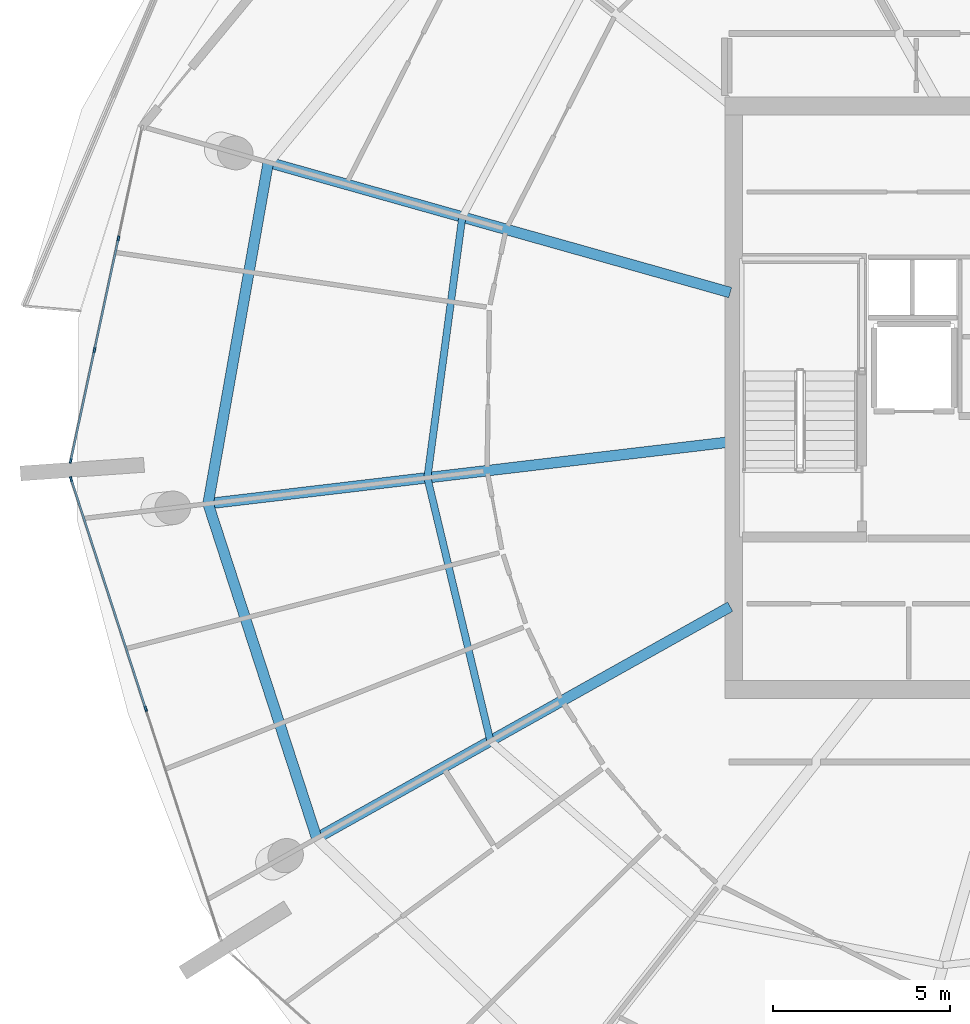
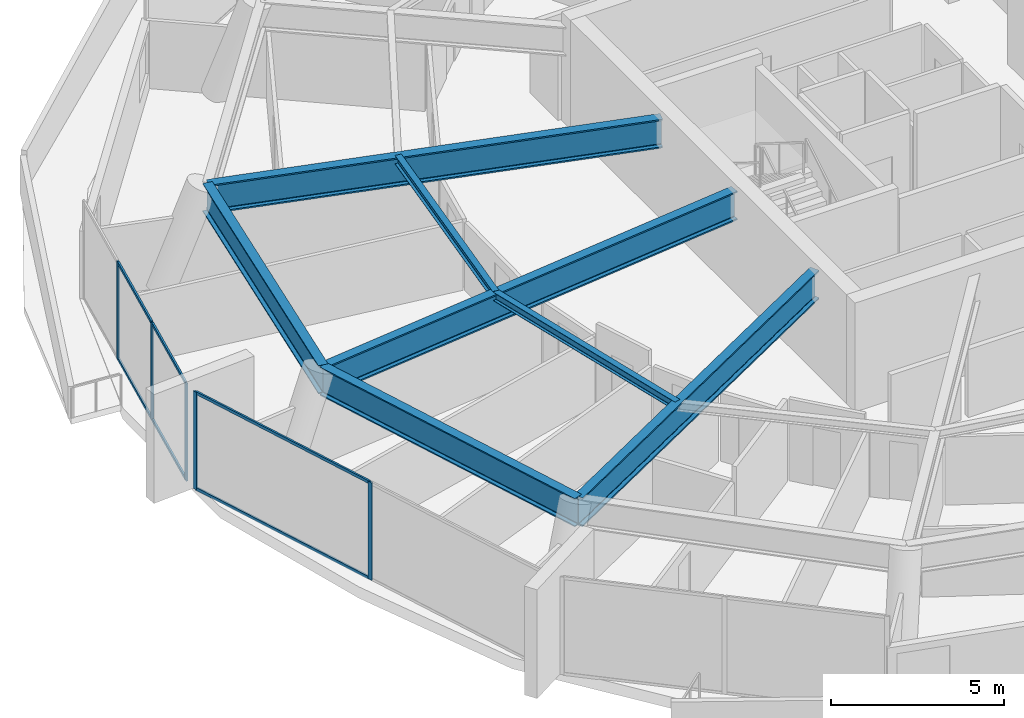
# One storey, part 7 of 27: 11 members, 7 beams, 2 elements without a shape of their own.
"""IFC4 building model written with IfcOpenShell, lengths in metres."""

from ifc_helpers import new_model, si_unit, direction, frame, origin, origin_2d, place, context, subcontext, project, spatial, rectangle, i_section, extrude, material, layer, layer_set, material_profile, profile_set, type_object, element, aggregate, save


model = new_model("IFC4")

# Units and contexts
model_context = context("Model", 3, precision=1e-05, world=origin(), true_north=direction((0.0, 1.0)))
body_context = subcontext(model_context, "Body", "Model", "MODEL_VIEW")
ifc_project = project(units=[si_unit("LENGTHUNIT", "METRE"), si_unit("AREAUNIT", "SQUARE_METRE"), si_unit("VOLUMEUNIT", "CUBIC_METRE"), si_unit("PLANEANGLEUNIT", "RADIAN"), si_unit("MASSUNIT", "GRAM", prefix="KILO")], contexts=[model_context])

# Site, building, storey
site_placement = place(None, origin())
site = spatial("IfcSite", under=ifc_project, at=site_placement, CompositionType="ELEMENT")
building_placement = place(site_placement, origin())
building = spatial("IfcBuilding", under=site, at=building_placement, Name="Kazma Halo Residences", CompositionType="ELEMENT")
storey_placement = place(building_placement, frame((0.0, 0.0, 306.0)))
storey = spatial("IfcBuildingStorey", under=building, at=storey_placement, Name="L77", CompositionType="ELEMENT", Elevation=306.0)

# Beams
ifc_material_1 = material(Name="Steel S355", Category="steel")
ifc_material_profile_1 = material_profile(ifc_material_1, i_section(OverallWidth=0.202880859375, OverallDepth=0.302978515625, WebThickness=0.007568359375, FlangeThickness=0.01318359375, FilletRadius=0.013916015625, at=origin_2d()), Name="W310x60")
ifc_profile_set_1 = profile_set([ifc_material_profile_1], Name="Steel S355")
beam_type_1 = type_object("IfcBeamType", Name="BM-SEC-W310A", PredefinedType="JOIST", material=ifc_profile_set_1)
beam_1_placement = place(storey_placement, frame((29.873779296875, 47.112060546875, 3.298583984375), z_axis=(-0.13273328909, -0.991151791588, 0.0), x_axis=(0.991151791588, -0.13273328909, 0.0)))
element("IfcBeam", 1, at=beam_1_placement, inside=storey, type_object=beam_type_1, Name="L77 circumferential floor joist 07", PredefinedType="JOIST", context=body_context, shape_type="SweptSolid", body=[
    extrude(i_section(OverallWidth=0.202880859375, OverallDepth=0.302978515625, WebThickness=0.007568359375, FlangeThickness=0.01318359375, FilletRadius=0.013916015625, at=origin_2d()), origin(), (0.0, 0.0, 1.0), 7.440185546875),
])
beam_2_placement = place(storey_placement, frame((28.88623046875, 39.73779296875, 3.298583984375), z_axis=(0.232909675941, -0.972498371646, 0.0), x_axis=(0.972498371646, 0.232909675941, 0.0)))
element("IfcBeam", 2, at=beam_2_placement, inside=storey, type_object=beam_type_1, Name="L77 circumferential floor joist 08", PredefinedType="JOIST", context=body_context, shape_type="SweptSolid", body=[
    extrude(i_section(OverallWidth=0.202880859375, OverallDepth=0.302978515625, WebThickness=0.007568359375, FlangeThickness=0.01318359375, FilletRadius=0.013916015625, at=origin_2d()), origin(), (0.0, 0.0, 1.0), 7.654052734375),
])
ifc_material_profile_2 = material_profile(ifc_material_1, i_section(OverallWidth=0.302001953125, OverallDepth=1.01806640625, WebThickness=0.021484375, FlangeThickness=0.049072265625, FilletRadius=0.028076171875, at=origin_2d()), Name="W1000x443")
ifc_profile_set_2 = profile_set([ifc_material_profile_2], Name="Steel S355")
beam_type_2 = type_object("IfcBeamType", Name="BM-TRANS-W1000A", PredefinedType="BEAM", material=ifc_profile_set_2)
beam_3_placement = place(storey_placement, frame((37.449951171875, 44.975341796875, 2.94091796875), z_axis=(-0.962453773123, 0.27144563839, 0.0), x_axis=(-0.27144563839, -0.962453773123, 0.0)))
element("IfcBeam", 3, at=beam_3_placement, inside=storey, type_object=beam_type_2, Name="L77 podium radial transfer girder 07", PredefinedType="BEAM", context=body_context, shape_type="SweptSolid", body=[
    extrude(i_section(OverallWidth=0.302001953125, OverallDepth=1.01806640625, WebThickness=0.021484375, FlangeThickness=0.049072265625, FilletRadius=0.028076171875, at=origin_2d()), origin(), (0.0, 0.0, 1.0), 13.572021484375),
])
beam_4_placement = place(storey_placement, frame((37.449951171875, 40.751220703125, 2.94091796875), z_axis=(-0.993068539382, -0.11753670103, 0.0), x_axis=(0.11753670103, -0.993068539382, 0.0)))
element("IfcBeam", 4, at=beam_4_placement, inside=storey, type_object=beam_type_2, Name="L77 podium radial transfer girder 08", PredefinedType="BEAM", context=body_context, shape_type="SweptSolid", body=[
    extrude(i_section(OverallWidth=0.302001953125, OverallDepth=1.01806640625, WebThickness=0.021484375, FlangeThickness=0.049072265625, FilletRadius=0.028076171875, at=origin_2d()), origin(), (0.0, 0.0, 1.0), 14.8681640625),
])
beam_5_placement = place(storey_placement, frame((37.449951171875, 36.091796875, 2.94091796875), z_axis=(-0.872497006086, -0.488619457626, 0.0), x_axis=(0.488619457626, -0.872497006086, 0.0)))
element("IfcBeam", 5, at=beam_5_placement, inside=storey, type_object=beam_type_2, Name="L77 podium radial transfer girder 09", PredefinedType="BEAM", context=body_context, shape_type="SweptSolid", body=[
    extrude(i_section(OverallWidth=0.302001953125, OverallDepth=1.01806640625, WebThickness=0.021484375, FlangeThickness=0.049072265625, FilletRadius=0.028076171875, at=origin_2d()), origin(), (0.0, 0.0, 1.0), 13.400146484375),
])
ifc_material_profile_3 = material_profile(ifc_material_1, i_section(OverallWidth=0.300048828125, OverallDepth=1.0, WebThickness=0.01904296875, FlangeThickness=0.0400390625, FilletRadius=0.02587890625, at=origin_2d()), Name="W1000x371")
ifc_profile_set_3 = profile_set([ifc_material_profile_3], Name="Steel S355")
beam_type_3 = type_object("IfcBeamType", Name="BM-TRANS-W1000B", PredefinedType="BEAM", material=ifc_profile_set_3)
beam_6_placement = place(storey_placement, frame((24.387451171875, 48.659423828125, 2.949951171875), z_axis=(-0.173654647616, -0.984806612164, 0.0), x_axis=(0.984806612164, -0.173654647616, 0.0)))
element("IfcBeam", 6, at=beam_6_placement, inside=storey, type_object=beam_type_3, Name="L77 perimeter ring beam 07", PredefinedType="BEAM", context=body_context, shape_type="SweptSolid", body=[
    extrude(i_section(OverallWidth=0.300048828125, OverallDepth=1.0, WebThickness=0.01904296875, FlangeThickness=0.0400390625, FilletRadius=0.02587890625, at=origin_2d()), origin(), (0.0, 0.0, 1.0), 9.8046875),
])
beam_7_placement = place(storey_placement, frame((22.684814453125, 39.003662109375, 2.949951171875), z_axis=(0.309009477853, -0.951058958528, 0.0), x_axis=(0.951058958528, 0.309009477853, 0.0)))
element("IfcBeam", 7, at=beam_7_placement, inside=storey, type_object=beam_type_3, Name="L77 perimeter ring beam 08", PredefinedType="BEAM", context=body_context, shape_type="SweptSolid", body=[
    extrude(i_section(OverallWidth=0.300048828125, OverallDepth=1.0, WebThickness=0.01904296875, FlangeThickness=0.0400390625, FilletRadius=0.02587890625, at=origin_2d()), origin(), (0.0, 0.0, 1.0), 9.9462890625),
])

# Curtain wall, members
ifc_material_2 = material(Name="Aluminium AW-6063 T6 and Triple-Silver Low-E Glass", Category="aluminium")
ifc_layer = layer(ifc_material_2, 0.139892578125)
ifc_layer_set = layer_set([ifc_layer], Name="Aluminium AW-6063 T6 and Triple-Silver Low-E Glass")
curtain_wall_type = type_object("IfcCurtainWallType", Name="CW-SYS-5", PredefinedType="NOTDEFINED", material=ifc_layer_set)
curtain_wall_1_placement = place(storey_placement, origin())
curtain_wall_1 = element("IfcCurtainWall", 8, at=curtain_wall_1_placement, inside=storey, type_object=curtain_wall_type, Name="L77 unitised curtain wall B07", PredefinedType="NOTDEFINED")
ifc_material_3 = material(Name="Aluminium AW-6063 T6", Category="aluminium")
ifc_material_profile_4 = material_profile(ifc_material_3, rectangle(XDim=0.06005859375, YDim=0.139892578125, at=origin_2d()), Name="CWM-60x140")
ifc_profile_set_4 = profile_set([ifc_material_profile_4], Name="Aluminium AW-6063 T6")
member_type_1 = type_object("IfcMemberType", Name="CW-SYS-5-MUL", PredefinedType="MULLION", material=ifc_profile_set_4)
member_1_placement = place(storey_placement, frame((20.14892578125, 46.505126953125, 0.0), z_axis=(0.0, 0.0, 1.0), x_axis=(0.977770842805, -0.209676367197, 0.0)))
member_1 = element("IfcMember", 9, at=member_1_placement, type_object=member_type_1, Name="CWS-5 mullion 2", PredefinedType="MULLION", context=body_context, shape_type="SweptSolid", body=[
    extrude(rectangle(XDim=0.06005859375, YDim=0.139892578125, at=origin_2d()), origin(), (0.0, 0.0, 1.0), 3.449951171875),
])
member_2_placement = place(storey_placement, frame((19.4716796875, 43.3466796875, 0.0), z_axis=(0.0, 0.0, 1.0), x_axis=(0.977770842805, -0.209676367197, 0.0)))
member_2 = element("IfcMember", 10, at=member_2_placement, type_object=member_type_1, Name="CWS-5 mullion 3", PredefinedType="MULLION", context=body_context, shape_type="SweptSolid", body=[
    extrude(rectangle(XDim=0.06005859375, YDim=0.139892578125, at=origin_2d()), origin(), (0.0, 0.0, 1.0), 3.449951171875),
])
member_3_placement = place(storey_placement, frame((18.800537109375, 40.217529296875, 0.0), z_axis=(0.0, 0.0, 1.0), x_axis=(0.977770842805, -0.209676367197, 0.0)))
member_3 = element("IfcMember", 11, at=member_3_placement, type_object=member_type_1, Name="CWS-5 mullion 4", PredefinedType="MULLION", context=body_context, shape_type="SweptSolid", body=[
    extrude(rectangle(XDim=0.06005859375, YDim=0.139892578125, at=origin_2d()), origin(), (0.0, 0.0, 1.0), 3.449951171875),
])

curtain_wall_2_placement = place(storey_placement, origin())
curtain_wall_2 = element("IfcCurtainWall", 12, at=curtain_wall_2_placement, inside=storey, type_object=curtain_wall_type, Name="L77 unitised curtain wall B08", PredefinedType="NOTDEFINED")
member_4_placement = place(storey_placement, frame((18.811279296875, 39.69921875, 0.0), z_axis=(0.0, 0.0, 1.0), x_axis=(0.951056985452, 0.309015550455, 0.0)))
member_4 = element("IfcMember", 13, at=member_4_placement, type_object=member_type_1, Name="CWS-5 mullion 1", PredefinedType="MULLION", context=body_context, shape_type="SweptSolid", body=[
    extrude(rectangle(XDim=0.06005859375, YDim=0.139892578125, at=origin_2d()), origin(), (0.0, 0.0, 1.0), 3.449951171875),
])
member_5_placement = place(storey_placement, frame((20.92236328125, 33.201904296875, 0.0), z_axis=(0.0, 0.0, 1.0), x_axis=(0.951056985452, 0.309015550455, 0.0)))
member_5 = element("IfcMember", 14, at=member_5_placement, type_object=member_type_1, Name="CWS-5 mullion 2", PredefinedType="MULLION", context=body_context, shape_type="SweptSolid", body=[
    extrude(rectangle(XDim=0.06005859375, YDim=0.139892578125, at=origin_2d()), origin(), (0.0, 0.0, 1.0), 3.449951171875),
])

# Member
ifc_material_profile_5 = material_profile(ifc_material_3, rectangle(XDim=0.06005859375, YDim=0.10498046875, at=origin_2d()), Name="CWT-60x105")
ifc_profile_set_5 = profile_set([ifc_material_profile_5], Name="Aluminium AW-6063 T6")
member_type_2 = type_object("IfcMemberType", Name="CW-SYS-5-TRN", PredefinedType="USERDEFINED", material=ifc_profile_set_5)
member_6_placement = place(storey_placement, frame((20.142578125, 46.475830078125, 0.030029296875), z_axis=(-0.209618493424, -0.977783251654, 0.0), x_axis=(0.977783251654, -0.209618493424, 0.0)))
member_6 = element("IfcMember", 15, at=member_6_placement, type_object=member_type_2, Name="CWS-5 transom 2.1", ObjectType="TRANSOM", PredefinedType="USERDEFINED", context=body_context, shape_type="SweptSolid", body=[
    extrude(rectangle(XDim=0.06005859375, YDim=0.10498046875, at=origin_2d()), origin(), (0.0, 0.0, 1.0), 3.170166015625),
])

member_7_placement = place(storey_placement, frame((20.142578125, 46.475830078125, 3.419921875), z_axis=(-0.209618493424, -0.977783251654, 0.0), x_axis=(0.977783251654, -0.209618493424, 0.0)))
member_7 = element("IfcMember", 16, at=member_7_placement, type_object=member_type_2, Name="CWS-5 transom 2.2", ObjectType="TRANSOM", PredefinedType="USERDEFINED", context=body_context, shape_type="SweptSolid", body=[
    extrude(rectangle(XDim=0.06005859375, YDim=0.10498046875, at=origin_2d()), origin(), (0.0, 0.0, 1.0), 3.170166015625),
])

member_8_placement = place(storey_placement, frame((19.46533203125, 43.3173828125, 0.030029296875), z_axis=(-0.20967243669, -0.977771685667, 0.0), x_axis=(0.977771685667, -0.20967243669, 0.0)))
member_8 = element("IfcMember", 17, at=member_8_placement, type_object=member_type_2, Name="CWS-5 transom 3.1", ObjectType="TRANSOM", PredefinedType="USERDEFINED", context=body_context, shape_type="SweptSolid", body=[
    extrude(rectangle(XDim=0.06005859375, YDim=0.10498046875, at=origin_2d()), origin(), (0.0, 0.0, 1.0), 3.140380859375),
])

member_9_placement = place(storey_placement, frame((19.46533203125, 43.3173828125, 3.419921875), z_axis=(-0.20967243669, -0.977771685667, 0.0), x_axis=(0.977771685667, -0.20967243669, 0.0)))
member_9 = element("IfcMember", 18, at=member_9_placement, type_object=member_type_2, Name="CWS-5 transom 3.2", ObjectType="TRANSOM", PredefinedType="USERDEFINED", context=body_context, shape_type="SweptSolid", body=[
    extrude(rectangle(XDim=0.06005859375, YDim=0.10498046875, at=origin_2d()), origin(), (0.0, 0.0, 1.0), 3.140380859375),
])

aggregate(curtain_wall_1, [member_1, member_2, member_3, member_6, member_7, member_8, member_9])

member_10_placement = place(storey_placement, frame((18.820556640625, 39.670654296875, 0.030029296875), z_axis=(0.309015146423, -0.951057116729, 0.0), x_axis=(0.951057116729, 0.309015146423, 0.0)))
member_10 = element("IfcMember", 19, at=member_10_placement, type_object=member_type_2, Name="CWS-5 transom 1.1", ObjectType="TRANSOM", PredefinedType="USERDEFINED", context=body_context, shape_type="SweptSolid", body=[
    extrude(rectangle(XDim=0.06005859375, YDim=0.10498046875, at=origin_2d()), origin(), (0.0, 0.0, 1.0), 6.771728515625),
])

member_11_placement = place(storey_placement, frame((18.820556640625, 39.670654296875, 3.419921875), z_axis=(0.309015146423, -0.951057116729, 0.0), x_axis=(0.951057116729, 0.309015146423, 0.0)))
member_11 = element("IfcMember", 20, at=member_11_placement, type_object=member_type_2, Name="CWS-5 transom 1.2", ObjectType="TRANSOM", PredefinedType="USERDEFINED", context=body_context, shape_type="SweptSolid", body=[
    extrude(rectangle(XDim=0.06005859375, YDim=0.10498046875, at=origin_2d()), origin(), (0.0, 0.0, 1.0), 6.771728515625),
])

aggregate(curtain_wall_2, [member_4, member_5, member_10, member_11])

save(model, "model.ifc")
